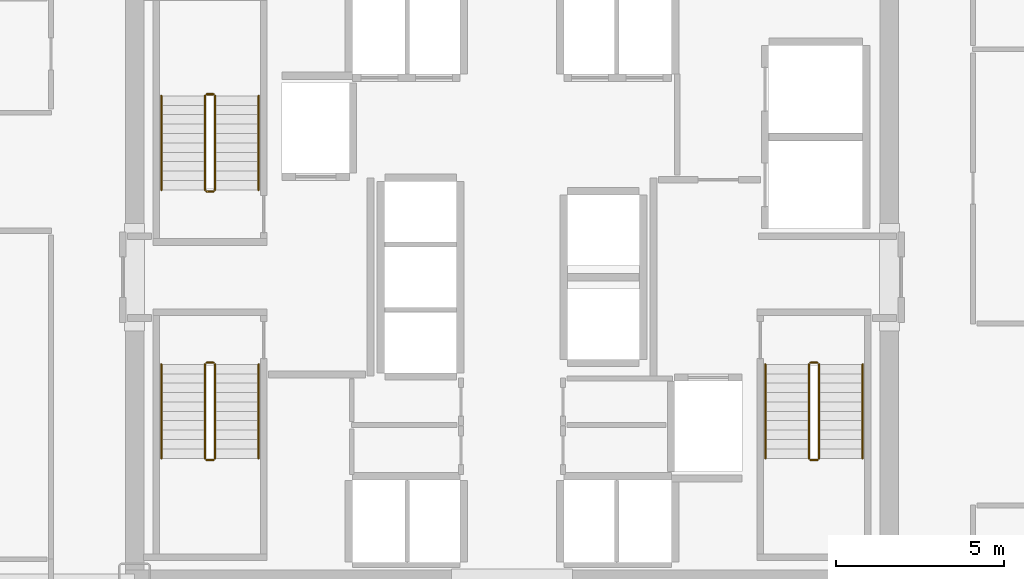
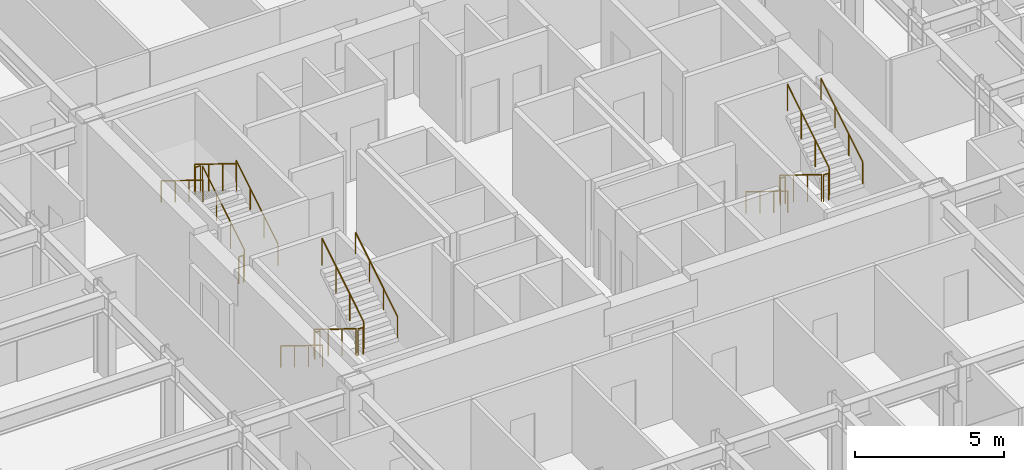
# One storey, part 26 of 26: 18 railings.
"""IFC4 building model written with IfcOpenShell, lengths in metres."""

from ifc_helpers import new_model, si_unit, direction, frame, origin, origin_2d, place, context, subcontext, project, spatial, circle, extrude, material, type_object, element, save


model = new_model("IFC4")

# Units and contexts
model_context = context("Model", 3, precision=1e-05, world=origin(), true_north=direction((0.0, 1.0)))
body_context = subcontext(model_context, "Body", "Model", "MODEL_VIEW")
ifc_project = project(units=[si_unit("LENGTHUNIT", "METRE"), si_unit("AREAUNIT", "SQUARE_METRE"), si_unit("VOLUMEUNIT", "CUBIC_METRE"), si_unit("PLANEANGLEUNIT", "RADIAN"), si_unit("MASSUNIT", "GRAM", prefix="KILO")], contexts=[model_context])

# Site, building, storey
site_placement = place(None, origin())
site = spatial("IfcSite", under=ifc_project, at=site_placement, CompositionType="ELEMENT")
building_placement = place(site_placement, origin())
building = spatial("IfcBuilding", under=site, at=building_placement, Name="Nefas-Gora Pilgrimage Tower", CompositionType="ELEMENT")
storey_placement = place(building_placement, frame((0.0, 0.0, 94.60009765625)))
storey = spatial("IfcBuildingStorey", under=building, at=storey_placement, Name="L22", CompositionType="ELEMENT", Elevation=94.60009765625)

# Railings
ifc_material_1 = material(Name="Painted galvanised steel", Category="steel")
railing_type_1 = type_object("IfcRailingType", Name="RLG-STR-GUARD-1100", PredefinedType="GUARDRAIL", material=ifc_material_1)
railing_1_placement = place(storey_placement, frame((-8.85009765625, 2.60009765625, 0.172607421875)))
element("IfcRailing", 1, at=railing_1_placement, inside=storey, type_object=railing_type_1, Name="L22 ST-01 stair guard 1", PredefinedType="GUARDRAIL", context=body_context, shape_type="SweptSolid", body=[
    extrude(circle(Radius=0.02392578125, at=origin_2d()), frame((0.0, 0.0, 1.09619140625), z_axis=(0.0, 0.851069175582, 0.525053576669), x_axis=(-1.0, 0.0, 0.0)), (0.0, 0.0, 1.0), 3.289794921875),
    extrude(circle(Radius=0.02099609375, at=origin_2d()), origin(), (0.0, 0.0, 1.0), 1.072021484375),
    extrude(circle(Radius=0.02099609375, at=origin_2d()), frame((0.0, 0.933349609375, 0.57568359375)), (0.0, 0.0, 1.0), 1.072021484375),
    extrude(circle(Radius=0.02099609375, at=origin_2d()), frame((0.0, 1.866455078125, 1.151611328125)), (0.0, 0.0, 1.0), 1.072021484375),
    extrude(circle(Radius=0.02099609375, at=origin_2d()), frame((0.0, 2.7998046875, 1.727294921875)), (0.0, 0.0, 1.0), 1.072021484375),
])
railing_2_placement = place(storey_placement, frame((-8.89990234375, 5.449951171875, 1.89990234375)))
element("IfcRailing", 2, at=railing_2_placement, inside=storey, type_object=railing_type_1, Name="L22 ST-01 stair guard 2", PredefinedType="GUARDRAIL", context=body_context, shape_type="SweptSolid", body=[
    extrude(circle(Radius=0.02392578125, at=origin_2d()), frame((0.0, 0.0, 1.09619140625), z_axis=(-1.0, 0.0, 0.0), x_axis=(0.0, -1.0, 0.0)), (0.0, 0.0, 1.0), 0.2001953125),
    extrude(circle(Radius=0.02099609375, at=origin_2d()), origin(), (0.0, 0.0, 1.0), 1.072021484375),
    extrude(circle(Radius=0.02099609375, at=origin_2d()), frame((-0.2001953125, 0.0, 0.0)), (0.0, 0.0, 1.0), 1.072021484375),
])
railing_3_placement = place(storey_placement, frame((-9.14990234375, 5.39990234375, 2.072509765625)))
element("IfcRailing", 3, at=railing_3_placement, inside=storey, type_object=railing_type_1, Name="L22 ST-01 stair guard 3", PredefinedType="GUARDRAIL", context=body_context, shape_type="SweptSolid", body=[
    extrude(circle(Radius=0.02392578125, at=origin_2d()), frame((0.0, 0.0, 1.09619140625), z_axis=(0.0, -0.851069175582, 0.525053576669), x_axis=(1.0, 0.0, 0.0)), (0.0, 0.0, 1.0), 3.289794921875),
    extrude(circle(Radius=0.02099609375, at=origin_2d()), origin(), (0.0, 0.0, 1.0), 1.072021484375),
    extrude(circle(Radius=0.02099609375, at=origin_2d()), frame((0.0, -0.933349609375, 0.57568359375)), (0.0, 0.0, 1.0), 1.072021484375),
    extrude(circle(Radius=0.02099609375, at=origin_2d()), frame((0.0, -1.866455078125, 1.151611328125)), (0.0, 0.0, 1.0), 1.072021484375),
    extrude(circle(Radius=0.02099609375, at=origin_2d()), frame((0.0, -2.7998046875, 1.727294921875)), (0.0, 0.0, 1.0), 1.072021484375),
])
railing_4_placement = place(storey_placement, frame((-8.89990234375, 2.550048828125, 0.0)))
element("IfcRailing", 4, at=railing_4_placement, inside=storey, type_object=railing_type_1, Name="L22 ST-01 stair guard 4", PredefinedType="GUARDRAIL", context=body_context, shape_type="SweptSolid", body=[
    extrude(circle(Radius=0.02392578125, at=origin_2d()), frame((0.0, 0.0, 1.09619140625), z_axis=(-1.0, 0.0, 0.0), x_axis=(0.0, -1.0, 0.0)), (0.0, 0.0, 1.0), 0.2001953125),
    extrude(circle(Radius=0.02099609375, at=origin_2d()), origin(), (0.0, 0.0, 1.0), 1.072021484375),
    extrude(circle(Radius=0.02099609375, at=origin_2d()), frame((-0.2001953125, 0.0, 0.0)), (0.0, 0.0, 1.0), 1.072021484375),
])
railing_5_placement = place(storey_placement, frame((8.85009765625, -2.60009765625, 0.172607421875)))
element("IfcRailing", 5, at=railing_5_placement, inside=storey, type_object=railing_type_1, Name="L22 ST-02 stair guard 1", PredefinedType="GUARDRAIL", context=body_context, shape_type="SweptSolid", body=[
    extrude(circle(Radius=0.02392578125, at=origin_2d()), frame((0.0, 0.0, 1.09619140625), z_axis=(0.0, -0.851069175582, 0.525053576669), x_axis=(1.0, 0.0, 0.0)), (0.0, 0.0, 1.0), 3.289794921875),
    extrude(circle(Radius=0.02099609375, at=origin_2d()), origin(), (0.0, 0.0, 1.0), 1.072021484375),
    extrude(circle(Radius=0.02099609375, at=origin_2d()), frame((0.0, -0.933349609375, 0.57568359375)), (0.0, 0.0, 1.0), 1.072021484375),
    extrude(circle(Radius=0.02099609375, at=origin_2d()), frame((0.0, -1.866455078125, 1.151611328125)), (0.0, 0.0, 1.0), 1.072021484375),
    extrude(circle(Radius=0.02099609375, at=origin_2d()), frame((0.0, -2.7998046875, 1.727294921875)), (0.0, 0.0, 1.0), 1.072021484375),
])
railing_6_placement = place(storey_placement, frame((8.89990234375, -5.449951171875, 1.89990234375)))
element("IfcRailing", 6, at=railing_6_placement, inside=storey, type_object=railing_type_1, Name="L22 ST-02 stair guard 2", PredefinedType="GUARDRAIL", context=body_context, shape_type="SweptSolid", body=[
    extrude(circle(Radius=0.02392578125, at=origin_2d()), frame((0.0, 0.0, 1.09619140625), z_axis=(1.0, 0.0, 0.0), x_axis=(0.0, 1.0, 0.0)), (0.0, 0.0, 1.0), 0.2001953125),
    extrude(circle(Radius=0.02099609375, at=origin_2d()), origin(), (0.0, 0.0, 1.0), 1.072021484375),
    extrude(circle(Radius=0.02099609375, at=origin_2d()), frame((0.2001953125, 0.0, 0.0)), (0.0, 0.0, 1.0), 1.072021484375),
])
railing_7_placement = place(storey_placement, frame((9.14990234375, -5.39990234375, 2.072509765625)))
element("IfcRailing", 7, at=railing_7_placement, inside=storey, type_object=railing_type_1, Name="L22 ST-02 stair guard 3", PredefinedType="GUARDRAIL", context=body_context, shape_type="SweptSolid", body=[
    extrude(circle(Radius=0.02392578125, at=origin_2d()), frame((0.0, 0.0, 1.09619140625), z_axis=(0.0, 0.851069175582, 0.525053576669), x_axis=(-1.0, 0.0, 0.0)), (0.0, 0.0, 1.0), 3.289794921875),
    extrude(circle(Radius=0.02099609375, at=origin_2d()), origin(), (0.0, 0.0, 1.0), 1.072021484375),
    extrude(circle(Radius=0.02099609375, at=origin_2d()), frame((0.0, 0.933349609375, 0.57568359375)), (0.0, 0.0, 1.0), 1.072021484375),
    extrude(circle(Radius=0.02099609375, at=origin_2d()), frame((0.0, 1.866455078125, 1.151611328125)), (0.0, 0.0, 1.0), 1.072021484375),
    extrude(circle(Radius=0.02099609375, at=origin_2d()), frame((0.0, 2.7998046875, 1.727294921875)), (0.0, 0.0, 1.0), 1.072021484375),
])
railing_8_placement = place(storey_placement, frame((8.89990234375, -2.550048828125, 0.0)))
element("IfcRailing", 8, at=railing_8_placement, inside=storey, type_object=railing_type_1, Name="L22 ST-02 stair guard 4", PredefinedType="GUARDRAIL", context=body_context, shape_type="SweptSolid", body=[
    extrude(circle(Radius=0.02392578125, at=origin_2d()), frame((0.0, 0.0, 1.09619140625), z_axis=(1.0, 0.0, 0.0), x_axis=(0.0, 1.0, 0.0)), (0.0, 0.0, 1.0), 0.2001953125),
    extrude(circle(Radius=0.02099609375, at=origin_2d()), origin(), (0.0, 0.0, 1.0), 1.072021484375),
    extrude(circle(Radius=0.02099609375, at=origin_2d()), frame((0.2001953125, 0.0, 0.0)), (0.0, 0.0, 1.0), 1.072021484375),
])
railing_9_placement = place(storey_placement, frame((-9.14990234375, -2.60009765625, 0.172607421875)))
element("IfcRailing", 9, at=railing_9_placement, inside=storey, type_object=railing_type_1, Name="L22 ST-03 stair guard 1", PredefinedType="GUARDRAIL", context=body_context, shape_type="SweptSolid", body=[
    extrude(circle(Radius=0.02392578125, at=origin_2d()), frame((0.0, 0.0, 1.09619140625), z_axis=(0.0, -0.851069175582, 0.525053576669), x_axis=(1.0, 0.0, 0.0)), (0.0, 0.0, 1.0), 3.289794921875),
    extrude(circle(Radius=0.02099609375, at=origin_2d()), origin(), (0.0, 0.0, 1.0), 1.072021484375),
    extrude(circle(Radius=0.02099609375, at=origin_2d()), frame((0.0, -0.933349609375, 0.57568359375)), (0.0, 0.0, 1.0), 1.072021484375),
    extrude(circle(Radius=0.02099609375, at=origin_2d()), frame((0.0, -1.866455078125, 1.151611328125)), (0.0, 0.0, 1.0), 1.072021484375),
    extrude(circle(Radius=0.02099609375, at=origin_2d()), frame((0.0, -2.7998046875, 1.727294921875)), (0.0, 0.0, 1.0), 1.072021484375),
])
railing_10_placement = place(storey_placement, frame((-9.10009765625, -5.449951171875, 1.89990234375)))
element("IfcRailing", 10, at=railing_10_placement, inside=storey, type_object=railing_type_1, Name="L22 ST-03 stair guard 2", PredefinedType="GUARDRAIL", context=body_context, shape_type="SweptSolid", body=[
    extrude(circle(Radius=0.02392578125, at=origin_2d()), frame((0.0, 0.0, 1.09619140625), z_axis=(1.0, 0.0, 0.0), x_axis=(0.0, 1.0, 0.0)), (0.0, 0.0, 1.0), 0.2001953125),
    extrude(circle(Radius=0.02099609375, at=origin_2d()), origin(), (0.0, 0.0, 1.0), 1.072021484375),
    extrude(circle(Radius=0.02099609375, at=origin_2d()), frame((0.2001953125, 0.0, 0.0)), (0.0, 0.0, 1.0), 1.072021484375),
])
railing_11_placement = place(storey_placement, frame((-8.85009765625, -5.39990234375, 2.072509765625)))
element("IfcRailing", 11, at=railing_11_placement, inside=storey, type_object=railing_type_1, Name="L22 ST-03 stair guard 3", PredefinedType="GUARDRAIL", context=body_context, shape_type="SweptSolid", body=[
    extrude(circle(Radius=0.02392578125, at=origin_2d()), frame((0.0, 0.0, 1.09619140625), z_axis=(0.0, 0.851069175582, 0.525053576669), x_axis=(-1.0, 0.0, 0.0)), (0.0, 0.0, 1.0), 3.289794921875),
    extrude(circle(Radius=0.02099609375, at=origin_2d()), origin(), (0.0, 0.0, 1.0), 1.072021484375),
    extrude(circle(Radius=0.02099609375, at=origin_2d()), frame((0.0, 0.933349609375, 0.57568359375)), (0.0, 0.0, 1.0), 1.072021484375),
    extrude(circle(Radius=0.02099609375, at=origin_2d()), frame((0.0, 1.866455078125, 1.151611328125)), (0.0, 0.0, 1.0), 1.072021484375),
    extrude(circle(Radius=0.02099609375, at=origin_2d()), frame((0.0, 2.7998046875, 1.727294921875)), (0.0, 0.0, 1.0), 1.072021484375),
])
railing_12_placement = place(storey_placement, frame((-9.10009765625, -2.550048828125, 0.0)))
element("IfcRailing", 12, at=railing_12_placement, inside=storey, type_object=railing_type_1, Name="L22 ST-03 stair guard 4", PredefinedType="GUARDRAIL", context=body_context, shape_type="SweptSolid", body=[
    extrude(circle(Radius=0.02392578125, at=origin_2d()), frame((0.0, 0.0, 1.09619140625), z_axis=(1.0, 0.0, 0.0), x_axis=(0.0, 1.0, 0.0)), (0.0, 0.0, 1.0), 0.2001953125),
    extrude(circle(Radius=0.02099609375, at=origin_2d()), origin(), (0.0, 0.0, 1.0), 1.072021484375),
    extrude(circle(Radius=0.02099609375, at=origin_2d()), frame((0.2001953125, 0.0, 0.0)), (0.0, 0.0, 1.0), 1.072021484375),
])
ifc_material_2 = material(Name="Brushed stainless steel", Category="steel")
railing_type_2 = type_object("IfcRailingType", Name="RLG-STR-HAND-900", PredefinedType="HANDRAIL", material=ifc_material_2)
railing_13_placement = place(storey_placement, frame((-7.550048828125, 2.60009765625, 0.172607421875)))
element("IfcRailing", 13, at=railing_13_placement, inside=storey, type_object=railing_type_2, Name="L22 ST-01 stair handrail 1", PredefinedType="HANDRAIL", context=body_context, shape_type="SweptSolid", body=[
    extrude(circle(Radius=0.02392578125, at=origin_2d()), frame((0.0, 0.0, 0.8759765625), z_axis=(0.0, 0.851069175582, 0.525053576669), x_axis=(-1.0, 0.0, 0.0)), (0.0, 0.0, 1.0), 3.289794921875),
    extrude(circle(Radius=0.02099609375, at=origin_2d()), origin(), (0.0, 0.0, 1.0), 0.851806640625),
    extrude(circle(Radius=0.02099609375, at=origin_2d()), frame((0.0, 0.933349609375, 0.57568359375)), (0.0, 0.0, 1.0), 0.851806640625),
    extrude(circle(Radius=0.02099609375, at=origin_2d()), frame((0.0, 1.866455078125, 1.151611328125)), (0.0, 0.0, 1.0), 0.851806640625),
    extrude(circle(Radius=0.02099609375, at=origin_2d()), frame((0.0, 2.7998046875, 1.727294921875)), (0.0, 0.0, 1.0), 0.851806640625),
])
for number, where, name in (
    (14, (-10.449951171875, 5.39990234375, 2.072509765625), "L22 ST-01 stair handrail 2"),
    (15, (7.550048828125, -2.60009765625, 0.172607421875), "L22 ST-02 stair handrail 1"),
):
    element("IfcRailing", number, at=place(storey_placement, frame(where)), inside=storey, type_object=railing_type_2, Name=name, PredefinedType="HANDRAIL", context=body_context, shape_type="SweptSolid", body=[
        extrude(circle(Radius=0.02392578125, at=origin_2d()), frame((0.0, 0.0, 0.8759765625), z_axis=(0.0, -0.851069175582, 0.525053576669), x_axis=(1.0, 0.0, 0.0)), (0.0, 0.0, 1.0), 3.289794921875),
        extrude(circle(Radius=0.02099609375, at=origin_2d()), origin(), (0.0, 0.0, 1.0), 0.851806640625),
        extrude(circle(Radius=0.02099609375, at=origin_2d()), frame((0.0, -0.933349609375, 0.57568359375)), (0.0, 0.0, 1.0), 0.851806640625),
        extrude(circle(Radius=0.02099609375, at=origin_2d()), frame((0.0, -1.866455078125, 1.151611328125)), (0.0, 0.0, 1.0), 0.851806640625),
        extrude(circle(Radius=0.02099609375, at=origin_2d()), frame((0.0, -2.7998046875, 1.727294921875)), (0.0, 0.0, 1.0), 0.851806640625),
    ])
railing_14_placement = place(storey_placement, frame((10.449951171875, -5.39990234375, 2.072509765625)))
element("IfcRailing", 16, at=railing_14_placement, inside=storey, type_object=railing_type_2, Name="L22 ST-02 stair handrail 2", PredefinedType="HANDRAIL", context=body_context, shape_type="SweptSolid", body=[
    extrude(circle(Radius=0.02392578125, at=origin_2d()), frame((0.0, 0.0, 0.8759765625), z_axis=(0.0, 0.851069175582, 0.525053576669), x_axis=(-1.0, 0.0, 0.0)), (0.0, 0.0, 1.0), 3.289794921875),
    extrude(circle(Radius=0.02099609375, at=origin_2d()), origin(), (0.0, 0.0, 1.0), 0.851806640625),
    extrude(circle(Radius=0.02099609375, at=origin_2d()), frame((0.0, 0.933349609375, 0.57568359375)), (0.0, 0.0, 1.0), 0.851806640625),
    extrude(circle(Radius=0.02099609375, at=origin_2d()), frame((0.0, 1.866455078125, 1.151611328125)), (0.0, 0.0, 1.0), 0.851806640625),
    extrude(circle(Radius=0.02099609375, at=origin_2d()), frame((0.0, 2.7998046875, 1.727294921875)), (0.0, 0.0, 1.0), 0.851806640625),
])
railing_15_placement = place(storey_placement, frame((-10.449951171875, -2.60009765625, 0.172607421875)))
element("IfcRailing", 17, at=railing_15_placement, inside=storey, type_object=railing_type_2, Name="L22 ST-03 stair handrail 1", PredefinedType="HANDRAIL", context=body_context, shape_type="SweptSolid", body=[
    extrude(circle(Radius=0.02392578125, at=origin_2d()), frame((0.0, 0.0, 0.8759765625), z_axis=(0.0, -0.851069175582, 0.525053576669), x_axis=(1.0, 0.0, 0.0)), (0.0, 0.0, 1.0), 3.289794921875),
    extrude(circle(Radius=0.02099609375, at=origin_2d()), origin(), (0.0, 0.0, 1.0), 0.851806640625),
    extrude(circle(Radius=0.02099609375, at=origin_2d()), frame((0.0, -0.933349609375, 0.57568359375)), (0.0, 0.0, 1.0), 0.851806640625),
    extrude(circle(Radius=0.02099609375, at=origin_2d()), frame((0.0, -1.866455078125, 1.151611328125)), (0.0, 0.0, 1.0), 0.851806640625),
    extrude(circle(Radius=0.02099609375, at=origin_2d()), frame((0.0, -2.7998046875, 1.727294921875)), (0.0, 0.0, 1.0), 0.851806640625),
])
railing_16_placement = place(storey_placement, frame((-7.550048828125, -5.39990234375, 2.072509765625)))
element("IfcRailing", 18, at=railing_16_placement, inside=storey, type_object=railing_type_2, Name="L22 ST-03 stair handrail 2", PredefinedType="HANDRAIL", context=body_context, shape_type="SweptSolid", body=[
    extrude(circle(Radius=0.02392578125, at=origin_2d()), frame((0.0, 0.0, 0.8759765625), z_axis=(0.0, 0.851069175582, 0.525053576669), x_axis=(-1.0, 0.0, 0.0)), (0.0, 0.0, 1.0), 3.289794921875),
    extrude(circle(Radius=0.02099609375, at=origin_2d()), origin(), (0.0, 0.0, 1.0), 0.851806640625),
    extrude(circle(Radius=0.02099609375, at=origin_2d()), frame((0.0, 0.933349609375, 0.57568359375)), (0.0, 0.0, 1.0), 0.851806640625),
    extrude(circle(Radius=0.02099609375, at=origin_2d()), frame((0.0, 1.866455078125, 1.151611328125)), (0.0, 0.0, 1.0), 0.851806640625),
    extrude(circle(Radius=0.02099609375, at=origin_2d()), frame((0.0, 2.7998046875, 1.727294921875)), (0.0, 0.0, 1.0), 0.851806640625),
])

save(model, "model.ifc")
